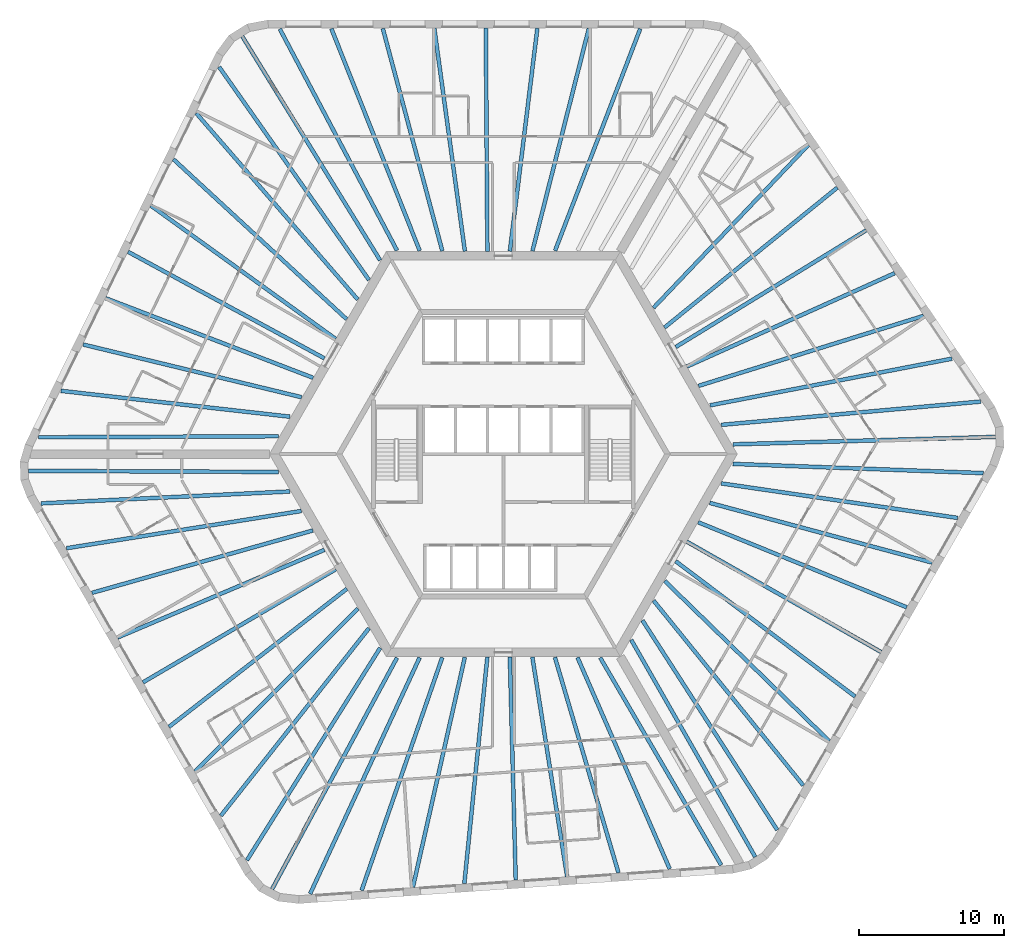
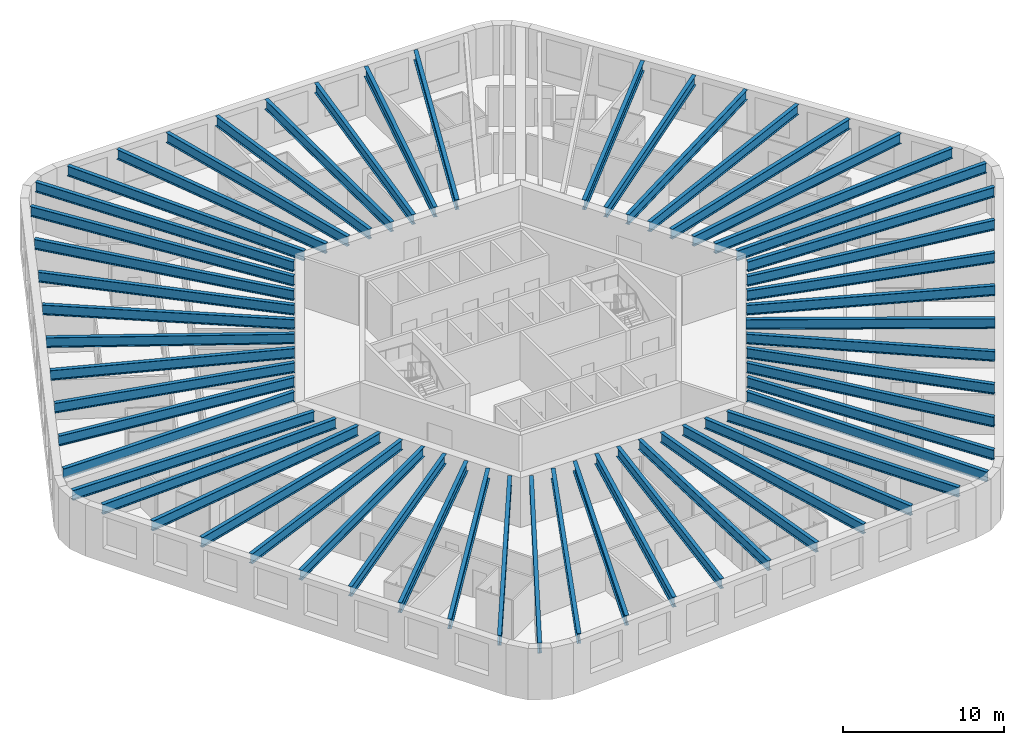
# One storey, part 1 of 11: 56 beams.
"""IFC4 building model written with IfcOpenShell, lengths in metres."""

from ifc_helpers import new_model, si_unit, direction, frame, origin, origin_2d, place, context, subcontext, project, spatial, i_section, extrude, material, material_profile, profile_set, type_object, element, save


model = new_model("IFC4")

# Units and contexts
model_context = context("Model", 3, precision=1e-05, world=origin(), true_north=direction((0.0, 1.0)))
body_context = subcontext(model_context, "Body", "Model", "MODEL_VIEW")
ifc_project = project(units=[si_unit("LENGTHUNIT", "METRE"), si_unit("AREAUNIT", "SQUARE_METRE"), si_unit("VOLUMEUNIT", "CUBIC_METRE"), si_unit("PLANEANGLEUNIT", "RADIAN"), si_unit("MASSUNIT", "GRAM", prefix="KILO")], contexts=[model_context])

# Site, building, storey
site_placement = place(None, origin())
site = spatial("IfcSite", under=ifc_project, at=site_placement, CompositionType="ELEMENT")
building_placement = place(site_placement, origin())
building = spatial("IfcBuilding", under=site, at=building_placement, Name="Tarnside Tower", CompositionType="ELEMENT")
storey_placement = place(building_placement, frame((0.0, 0.0, 45.300048828125)))
storey = spatial("IfcBuildingStorey", under=building, at=storey_placement, Name="L08", CompositionType="ELEMENT", Elevation=45.300048828125)

# Beams
ifc_material = material(Name="Steel S355", Category="steel")
ifc_material_profile_1 = material_profile(ifc_material, i_section(OverallWidth=0.26513671875, OverallDepth=0.75390625, WebThickness=0.0126953125, FlangeThickness=0.017578125, FilletRadius=0.0166015625, at=origin_2d()), Name="UB 762x267x147")
ifc_profile_set_1 = profile_set([ifc_material_profile_1], Name="Steel S355")
beam_type_1 = type_object("IfcBeamType", Name="Floor beam UB 762x267x147", PredefinedType="BEAM", material=ifc_profile_set_1)
beam_1_placement = place(storey_placement, frame((2.3525390625, 29.43017578125, 3.373046875), z_axis=(-0.122329629165, -0.992489527314, 0.0), x_axis=(0.992489527314, -0.122329629165, 0.0)))
element("IfcBeam", 1, at=beam_1_placement, inside=storey, type_object=beam_type_1, Name="Floor beam F1.04", PredefinedType="BEAM", context=body_context, shape_type="SweptSolid", body=[
    extrude(i_section(OverallWidth=0.26513671875, OverallDepth=0.75390625, WebThickness=0.0126953125, FlangeThickness=0.017578125, FilletRadius=0.0166015625, at=origin_2d()), origin(), (0.0, 0.0, 1.0), 15.527099609375),
])
beam_2_placement = place(storey_placement, frame((-1.208984375, 29.449951171875, 3.373046875), z_axis=(0.007000128723, -0.999975498799, 0.0), x_axis=(0.999975498799, 0.007000128723, 0.0)))
element("IfcBeam", 2, at=beam_2_placement, inside=storey, type_object=beam_type_1, Name="Floor beam F1.05", PredefinedType="BEAM", context=body_context, shape_type="SweptSolid", body=[
    extrude(i_section(OverallWidth=0.26513671875, OverallDepth=0.75390625, WebThickness=0.0126953125, FlangeThickness=0.017578125, FilletRadius=0.0166015625, at=origin_2d()), origin(), (0.0, 0.0, 1.0), 15.450439453125),
])
beam_3_placement = place(storey_placement, frame((-4.7705078125, 29.43017578125, 3.373046875), z_axis=(0.136000560933, -0.990708760144, 0.0), x_axis=(0.990708760144, 0.136000560933, 0.0)))
element("IfcBeam", 3, at=beam_3_placement, inside=storey, type_object=beam_type_1, Name="Floor beam F1.06", PredefinedType="BEAM", context=body_context, shape_type="SweptSolid", body=[
    extrude(i_section(OverallWidth=0.26513671875, OverallDepth=0.75390625, WebThickness=0.0126953125, FlangeThickness=0.017578125, FilletRadius=0.0166015625, at=origin_2d()), origin(), (0.0, 0.0, 1.0), 15.554931640625),
])
beam_4_placement = place(storey_placement, frame((-24.348876953125, 17.168212890625, 3.373046875), z_axis=(0.811027744825, -0.585007689799, 0.0), x_axis=(0.585007689799, 0.811027744825, 0.0)))
element("IfcBeam", 4, at=beam_4_placement, inside=storey, type_object=beam_type_1, Name="Floor beam F2.04", PredefinedType="BEAM", context=body_context, shape_type="SweptSolid", body=[
    extrude(i_section(OverallWidth=0.26513671875, OverallDepth=0.75390625, WebThickness=0.0126953125, FlangeThickness=0.017578125, FilletRadius=0.0166015625, at=origin_2d()), origin(), (0.0, 0.0, 1.0), 15.731689453125),
])
beam_5_placement = place(storey_placement, frame((-25.92626953125, 13.978271484375, 3.373046875), z_axis=(0.878894567679, -0.477016078245, 0.0), x_axis=(0.477016078245, 0.878894567679, 0.0)))
element("IfcBeam", 5, at=beam_5_placement, inside=storey, type_object=beam_type_1, Name="Floor beam F2.05", PredefinedType="BEAM", context=body_context, shape_type="SweptSolid", body=[
    extrude(i_section(OverallWidth=0.26513671875, OverallDepth=0.75390625, WebThickness=0.0126953125, FlangeThickness=0.017578125, FilletRadius=0.0166015625, at=origin_2d()), origin(), (0.0, 0.0, 1.0), 15.427490234375),
])
beam_6_placement = place(storey_placement, frame((-27.487548828125, 10.77734375, 3.373046875), z_axis=(0.933617702452, -0.358270827264, 0.0), x_axis=(0.358270827264, 0.933617702452, 0.0)))
element("IfcBeam", 6, at=beam_6_placement, inside=storey, type_object=beam_type_1, Name="Floor beam F2.06", PredefinedType="BEAM", context=body_context, shape_type="SweptSolid", body=[
    extrude(i_section(OverallWidth=0.26513671875, OverallDepth=0.75390625, WebThickness=0.0126953125, FlangeThickness=0.017578125, FilletRadius=0.0166015625, at=origin_2d()), origin(), (0.0, 0.0, 1.0), 15.363037109375),
])
beam_7_placement = place(storey_placement, frame((-29.029296875, 7.572509765625, 3.373046875), z_axis=(0.972101750991, -0.234559556873, 0.0), x_axis=(0.234559556873, 0.972101750991, 0.0)))
element("IfcBeam", 7, at=beam_7_placement, inside=storey, type_object=beam_type_1, Name="Floor beam F2.07", PredefinedType="BEAM", context=body_context, shape_type="SweptSolid", body=[
    extrude(i_section(OverallWidth=0.26513671875, OverallDepth=0.75390625, WebThickness=0.0126953125, FlangeThickness=0.017578125, FilletRadius=0.0166015625, at=origin_2d()), origin(), (0.0, 0.0, 1.0), 15.522216796875),
])
beam_8_placement = place(storey_placement, frame((-26.66357421875, -12.677734375, 3.373046875), z_axis=(0.920684021494, 0.390308765679, 0.0), x_axis=(-0.390308765679, 0.920684021494, 0.0)))
element("IfcBeam", 8, at=beam_8_placement, inside=storey, type_object=beam_type_1, Name="Floor beam F3.04", PredefinedType="BEAM", context=body_context, shape_type="SweptSolid", body=[
    extrude(i_section(OverallWidth=0.26513671875, OverallDepth=0.75390625, WebThickness=0.0126953125, FlangeThickness=0.017578125, FilletRadius=0.0166015625, at=origin_2d()), origin(), (0.0, 0.0, 1.0), 15.52685546875),
])
beam_9_placement = place(storey_placement, frame((-24.89990234375, -15.772216796875, 3.373046875), z_axis=(0.862497502004, 0.506061319443, 0.0), x_axis=(-0.506061319443, 0.862497502004, 0.0)))
element("IfcBeam", 9, at=beam_9_placement, inside=storey, type_object=beam_type_1, Name="Floor beam F3.05", PredefinedType="BEAM", context=body_context, shape_type="SweptSolid", body=[
    extrude(i_section(OverallWidth=0.26513671875, OverallDepth=0.75390625, WebThickness=0.0126953125, FlangeThickness=0.017578125, FilletRadius=0.0166015625, at=origin_2d()), origin(), (0.0, 0.0, 1.0), 15.450439453125),
])
beam_10_placement = place(storey_placement, frame((-23.10205078125, -18.846435546875, 3.373046875), z_axis=(0.789983963813, 0.613127504617, 0.0), x_axis=(-0.613127504617, 0.789983963813, 0.0)))
element("IfcBeam", 10, at=beam_10_placement, inside=storey, type_object=beam_type_1, Name="Floor beam F3.06", PredefinedType="BEAM", context=body_context, shape_type="SweptSolid", body=[
    extrude(i_section(OverallWidth=0.26513671875, OverallDepth=0.75390625, WebThickness=0.0126953125, FlangeThickness=0.017578125, FilletRadius=0.0166015625, at=origin_2d()), origin(), (0.0, 0.0, 1.0), 15.554931640625),
])
beam_11_placement = place(storey_placement, frame((-2.693603515625, -29.6708984375, 3.373046875), z_axis=(0.101123115756, 0.994873919379, 0.0), x_axis=(-0.994873919379, 0.101123115756, 0.0)))
element("IfcBeam", 11, at=beam_11_placement, inside=storey, type_object=beam_type_1, Name="Floor beam F4.04", PredefinedType="BEAM", context=body_context, shape_type="SweptSolid", body=[
    extrude(i_section(OverallWidth=0.26513671875, OverallDepth=0.75390625, WebThickness=0.0126953125, FlangeThickness=0.017578125, FilletRadius=0.0166015625, at=origin_2d()), origin(), (0.0, 0.0, 1.0), 15.7314453125),
])
beam_12_placement = place(storey_placement, frame((0.857666015625, -29.44189453125, 3.373046875), z_axis=(-0.026333316788, 0.999653218085, 0.0), x_axis=(-0.999653218085, -0.026333316788, 0.0)))
element("IfcBeam", 12, at=beam_12_placement, inside=storey, type_object=beam_type_1, Name="Floor beam F4.05", PredefinedType="BEAM", context=body_context, shape_type="SweptSolid", body=[
    extrude(i_section(OverallWidth=0.26513671875, OverallDepth=0.75390625, WebThickness=0.0126953125, FlangeThickness=0.017578125, FilletRadius=0.0166015625, at=origin_2d()), origin(), (0.0, 0.0, 1.0), 15.42724609375),
])
beam_13_placement = place(storey_placement, frame((4.41015625, -29.193603515625, 3.373046875), z_axis=(-0.156513375907, 0.98767583911, 0.0), x_axis=(-0.98767583911, -0.156513375907, 0.0)))
element("IfcBeam", 13, at=beam_13_placement, inside=storey, type_object=beam_type_1, Name="Floor beam F4.06", PredefinedType="BEAM", context=body_context, shape_type="SweptSolid", body=[
    extrude(i_section(OverallWidth=0.26513671875, OverallDepth=0.75390625, WebThickness=0.0126953125, FlangeThickness=0.017578125, FilletRadius=0.0166015625, at=origin_2d()), origin(), (0.0, 0.0, 1.0), 15.36328125),
])
beam_14_placement = place(storey_placement, frame((7.956787109375, -28.926513671875, 3.373046875), z_axis=(-0.282920694328, 0.959143305623, 0.0), x_axis=(-0.959143305623, -0.282920694328, 0.0)))
element("IfcBeam", 14, at=beam_14_placement, inside=storey, type_object=beam_type_1, Name="Floor beam F4.07", PredefinedType="BEAM", context=body_context, shape_type="SweptSolid", body=[
    extrude(i_section(OverallWidth=0.26513671875, OverallDepth=0.75390625, WebThickness=0.0126953125, FlangeThickness=0.017578125, FilletRadius=0.0166015625, at=origin_2d()), origin(), (0.0, 0.0, 1.0), 15.5224609375),
])
beam_15_placement = place(storey_placement, frame((24.31103515625, -16.75244140625, 3.373046875), z_axis=(-0.798361152727, 0.602178935049, 0.0), x_axis=(-0.602178935049, -0.798361152727, 0.0)))
element("IfcBeam", 15, at=beam_15_placement, inside=storey, type_object=beam_type_1, Name="Floor beam F5.04", PredefinedType="BEAM", context=body_context, shape_type="SweptSolid", body=[
    extrude(i_section(OverallWidth=0.26513671875, OverallDepth=0.75390625, WebThickness=0.0126953125, FlangeThickness=0.017578125, FilletRadius=0.0166015625, at=origin_2d()), origin(), (0.0, 0.0, 1.0), 15.527099609375),
])
beam_16_placement = place(storey_placement, frame((26.10888671875, -13.677978515625, 3.373046875), z_axis=(-0.869502520992, 0.493928502911, 0.0), x_axis=(-0.493928502911, -0.869502520992, 0.0)))
element("IfcBeam", 16, at=beam_16_placement, inside=storey, type_object=beam_type_1, Name="Floor beam F5.05", PredefinedType="BEAM", context=body_context, shape_type="SweptSolid", body=[
    extrude(i_section(OverallWidth=0.26513671875, OverallDepth=0.75390625, WebThickness=0.0126953125, FlangeThickness=0.017578125, FilletRadius=0.0166015625, at=origin_2d()), origin(), (0.0, 0.0, 1.0), 15.4501953125),
])
beam_17_placement = place(storey_placement, frame((27.87255859375, -10.58349609375, 3.373046875), z_axis=(-0.925981621163, 0.377568586177, 0.0), x_axis=(-0.377568586177, -0.925981621163, 0.0)))
element("IfcBeam", 17, at=beam_17_placement, inside=storey, type_object=beam_type_1, Name="Floor beam F5.06", PredefinedType="BEAM", context=body_context, shape_type="SweptSolid", body=[
    extrude(i_section(OverallWidth=0.26513671875, OverallDepth=0.75390625, WebThickness=0.0126953125, FlangeThickness=0.017578125, FilletRadius=0.0166015625, at=origin_2d()), origin(), (0.0, 0.0, 1.0), 15.554931640625),
])
beam_18_placement = place(storey_placement, frame((27.04248046875, 12.502685546875, 3.373046875), z_axis=(-0.912146413919, -0.409864513681, 0.0), x_axis=(0.409864513681, -0.912146413919, 0.0)))
element("IfcBeam", 18, at=beam_18_placement, inside=storey, type_object=beam_type_1, Name="Floor beam F6.04", PredefinedType="BEAM", context=body_context, shape_type="SweptSolid", body=[
    extrude(i_section(OverallWidth=0.26513671875, OverallDepth=0.75390625, WebThickness=0.0126953125, FlangeThickness=0.017578125, FilletRadius=0.0166015625, at=origin_2d()), origin(), (0.0, 0.0, 1.0), 15.7314453125),
])
beam_19_placement = place(storey_placement, frame((25.068603515625, 15.463623046875, 3.373046875), z_axis=(-0.852558490017, -0.522631821744, 0.0), x_axis=(0.522631821744, -0.852558490017, 0.0)))
element("IfcBeam", 19, at=beam_19_placement, inside=storey, type_object=beam_type_1, Name="Floor beam F6.05", PredefinedType="BEAM", context=body_context, shape_type="SweptSolid", body=[
    extrude(i_section(OverallWidth=0.26513671875, OverallDepth=0.75390625, WebThickness=0.0126953125, FlangeThickness=0.017578125, FilletRadius=0.0166015625, at=origin_2d()), origin(), (0.0, 0.0, 1.0), 15.42724609375),
])
beam_20_placement = place(storey_placement, frame((23.0771484375, 18.416259765625, 3.373046875), z_axis=(-0.777079423039, -0.629402550272, 0.0), x_axis=(0.629402550272, -0.777079423039, 0.0)))
element("IfcBeam", 20, at=beam_20_placement, inside=storey, type_object=beam_type_1, Name="Floor beam F6.06", PredefinedType="BEAM", context=body_context, shape_type="SweptSolid", body=[
    extrude(i_section(OverallWidth=0.26513671875, OverallDepth=0.75390625, WebThickness=0.0126953125, FlangeThickness=0.017578125, FilletRadius=0.0166015625, at=origin_2d()), origin(), (0.0, 0.0, 1.0), 15.36328125),
])
beam_21_placement = place(storey_placement, frame((21.072509765625, 21.35400390625, 3.373046875), z_axis=(-0.689174694318, -0.724595225427, 0.0), x_axis=(0.724595225427, -0.689174694318, 0.0)))
element("IfcBeam", 21, at=beam_21_placement, inside=storey, type_object=beam_type_1, Name="Floor beam F6.07", PredefinedType="BEAM", context=body_context, shape_type="SweptSolid", body=[
    extrude(i_section(OverallWidth=0.26513671875, OverallDepth=0.75390625, WebThickness=0.0126953125, FlangeThickness=0.017578125, FilletRadius=0.0166015625, at=origin_2d()), origin(), (0.0, 0.0, 1.0), 15.522216796875),
])
ifc_material_profile_2 = material_profile(ifc_material, i_section(OverallWidth=0.2666015625, OverallDepth=0.76220703125, WebThickness=0.014404296875, FlangeThickness=0.021484375, FilletRadius=0.0166015625, at=origin_2d()), Name="UB 762x267x173")
ifc_profile_set_2 = profile_set([ifc_material_profile_2], Name="Steel S355")
beam_type_2 = type_object("IfcBeamType", Name="Floor beam UB 762x267x173", PredefinedType="BEAM", material=ifc_profile_set_2)
beam_22_placement = place(storey_placement, frame((9.4619140625, 29.39404296875, 3.368896484375), z_axis=(-0.358299847269, -0.933606565662, 0.0), x_axis=(0.933606565662, -0.358299847269, 0.0)))
element("IfcBeam", 22, at=beam_22_placement, inside=storey, type_object=beam_type_2, Name="Floor beam F1.02", PredefinedType="BEAM", context=body_context, shape_type="SweptSolid", body=[
    extrude(i_section(OverallWidth=0.2666015625, OverallDepth=0.76220703125, WebThickness=0.014404296875, FlangeThickness=0.021484375, FilletRadius=0.0166015625, at=origin_2d()), origin(), (0.0, 0.0, 1.0), 16.428955078125),
])
beam_23_placement = place(storey_placement, frame((5.909423828125, 29.4111328125, 3.368896484375), z_axis=(-0.245747281389, -0.969333933013, 0.0), x_axis=(0.969333933013, -0.245747281389, 0.0)))
element("IfcBeam", 23, at=beam_23_placement, inside=storey, type_object=beam_type_2, Name="Floor beam F1.03", PredefinedType="BEAM", context=body_context, shape_type="SweptSolid", body=[
    extrude(i_section(OverallWidth=0.2666015625, OverallDepth=0.76220703125, WebThickness=0.014404296875, FlangeThickness=0.021484375, FilletRadius=0.0166015625, at=origin_2d()), origin(), (0.0, 0.0, 1.0), 15.858642578125),
])
beam_24_placement = place(storey_placement, frame((-8.3271484375, 29.411376953125, 3.368896484375), z_axis=(0.258447478572, -0.966025310652, 0.0), x_axis=(0.966025310652, 0.258447478572, 0.0)))
element("IfcBeam", 24, at=beam_24_placement, inside=storey, type_object=beam_type_2, Name="Floor beam F1.07", PredefinedType="BEAM", context=body_context, shape_type="SweptSolid", body=[
    extrude(i_section(OverallWidth=0.2666015625, OverallDepth=0.76220703125, WebThickness=0.014404296875, FlangeThickness=0.021484375, FilletRadius=0.0166015625, at=origin_2d()), origin(), (0.0, 0.0, 1.0), 15.91357421875),
])
beam_25_placement = place(storey_placement, frame((-11.87939453125, 29.394287109375, 3.368896484375), z_axis=(0.369638204477, -0.929175762593, 0.0), x_axis=(0.929175762593, 0.369638204477, 0.0)))
element("IfcBeam", 25, at=beam_25_placement, inside=storey, type_object=beam_type_2, Name="Floor beam F1.08", PredefinedType="BEAM", context=body_context, shape_type="SweptSolid", body=[
    extrude(i_section(OverallWidth=0.2666015625, OverallDepth=0.76220703125, WebThickness=0.014404296875, FlangeThickness=0.021484375, FilletRadius=0.0166015625, at=origin_2d()), origin(), (0.0, 0.0, 1.0), 16.507568359375),
])
beam_26_placement = place(storey_placement, frame((-15.44580078125, 29.37939453125, 3.368896484375), z_axis=(0.467741993634, -0.883865050441, 0.0), x_axis=(0.883865050441, 0.467741993634, 0.0)))
element("IfcBeam", 26, at=beam_26_placement, inside=storey, type_object=beam_type_2, Name="Floor beam F1.09", PredefinedType="BEAM", context=body_context, shape_type="SweptSolid", body=[
    extrude(i_section(OverallWidth=0.2666015625, OverallDepth=0.76220703125, WebThickness=0.014404296875, FlangeThickness=0.021484375, FilletRadius=0.0166015625, at=origin_2d()), origin(), (0.0, 0.0, 1.0), 17.320068359375),
])
beam_27_placement = place(storey_placement, frame((-18.042236328125, 28.8701171875, 3.368896484375), z_axis=(0.524382977035, -0.851482526771, 0.0), x_axis=(0.851482526771, 0.524382977035, 0.0)))
element("IfcBeam", 27, at=beam_27_placement, inside=storey, type_object=beam_type_2, Name="Floor beam C1", PredefinedType="BEAM", context=body_context, shape_type="SweptSolid", body=[
    extrude(i_section(OverallWidth=0.2666015625, OverallDepth=0.76220703125, WebThickness=0.014404296875, FlangeThickness=0.021484375, FilletRadius=0.0166015625, at=origin_2d()), origin(), (0.0, 0.0, 1.0), 18.1728515625),
])
beam_28_placement = place(storey_placement, frame((-19.638671875, 26.75537109375, 3.368896484375), z_axis=(0.575411427849, -0.817864101609, 0.0), x_axis=(0.817864101609, 0.575411427849, 0.0)))
element("IfcBeam", 28, at=beam_28_placement, inside=storey, type_object=beam_type_2, Name="Floor beam F2.01", PredefinedType="BEAM", context=body_context, shape_type="SweptSolid", body=[
    extrude(i_section(OverallWidth=0.2666015625, OverallDepth=0.76220703125, WebThickness=0.014404296875, FlangeThickness=0.021484375, FilletRadius=0.0166015625, at=origin_2d()), origin(), (0.0, 0.0, 1.0), 18.00048828125),
])
beam_29_placement = place(storey_placement, frame((-21.21630859375, 23.554931640625, 3.368896484375), z_axis=(0.654980748073, -0.755645564834, 0.0), x_axis=(0.755645564834, 0.654980748073, 0.0)))
element("IfcBeam", 29, at=beam_29_placement, inside=storey, type_object=beam_type_2, Name="Floor beam F2.02", PredefinedType="BEAM", context=body_context, shape_type="SweptSolid", body=[
    extrude(i_section(OverallWidth=0.2666015625, OverallDepth=0.76220703125, WebThickness=0.014404296875, FlangeThickness=0.021484375, FilletRadius=0.0166015625, at=origin_2d()), origin(), (0.0, 0.0, 1.0), 17.0302734375),
])
beam_30_placement = place(storey_placement, frame((-22.7890625, 20.368408203125, 3.368896484375), z_axis=(0.734715474517, -0.678375391288, 0.0), x_axis=(0.678375391288, 0.734715474517, 0.0)))
element("IfcBeam", 30, at=beam_30_placement, inside=storey, type_object=beam_type_2, Name="Floor beam F2.03", PredefinedType="BEAM", context=body_context, shape_type="SweptSolid", body=[
    extrude(i_section(OverallWidth=0.2666015625, OverallDepth=0.76220703125, WebThickness=0.014404296875, FlangeThickness=0.021484375, FilletRadius=0.0166015625, at=origin_2d()), origin(), (0.0, 0.0, 1.0), 16.2802734375),
])
beam_31_placement = place(storey_placement, frame((-30.570556640625, 4.372802734375, 3.368896484375), z_axis=(0.993687302776, -0.112185312326, 0.0), x_axis=(0.112185312326, 0.993687302776, 0.0)))
element("IfcBeam", 31, at=beam_31_placement, inside=storey, type_object=beam_type_2, Name="Floor beam F2.08", PredefinedType="BEAM", context=body_context, shape_type="SweptSolid", body=[
    extrude(i_section(OverallWidth=0.2666015625, OverallDepth=0.76220703125, WebThickness=0.014404296875, FlangeThickness=0.021484375, FilletRadius=0.0166015625, at=origin_2d()), origin(), (0.0, 0.0, 1.0), 15.934326171875),
])
beam_32_placement = place(storey_placement, frame((-32.119384765625, 1.162109375, 3.368896484375), z_axis=(0.999990508787, 0.004356872304, 0.0), x_axis=(-0.004356872304, 0.999990508787, 0.0)))
element("IfcBeam", 32, at=beam_32_placement, inside=storey, type_object=beam_type_2, Name="Floor beam F2.09", PredefinedType="BEAM", context=body_context, shape_type="SweptSolid", body=[
    extrude(i_section(OverallWidth=0.2666015625, OverallDepth=0.76220703125, WebThickness=0.014404296875, FlangeThickness=0.021484375, FilletRadius=0.0166015625, at=origin_2d()), origin(), (0.0, 0.0, 1.0), 16.586669921875),
])
beam_33_placement = place(storey_placement, frame((-32.80712890625, -1.1572265625, 3.368896484375), z_axis=(0.999990027056, -0.004466070929, 0.0), x_axis=(0.004466070929, 0.999990027056, 0.0)))
element("IfcBeam", 33, at=beam_33_placement, inside=storey, type_object=beam_type_2, Name="Floor beam C2", PredefinedType="BEAM", context=body_context, shape_type="SweptSolid", body=[
    extrude(i_section(OverallWidth=0.2666015625, OverallDepth=0.76220703125, WebThickness=0.014404296875, FlangeThickness=0.021484375, FilletRadius=0.0166015625, at=origin_2d()), origin(), (0.0, 0.0, 1.0), 17.2744140625),
])
beam_34_placement = place(storey_placement, frame((-31.95703125, -3.406494140625, 3.368896484375), z_axis=(0.998853818522, 0.047864905982, 0.0), x_axis=(-0.047864905982, 0.998853818522, 0.0)))
element("IfcBeam", 34, at=beam_34_placement, inside=storey, type_object=beam_type_2, Name="Floor beam F3.01", PredefinedType="BEAM", context=body_context, shape_type="SweptSolid", body=[
    extrude(i_section(OverallWidth=0.2666015625, OverallDepth=0.76220703125, WebThickness=0.014404296875, FlangeThickness=0.021484375, FilletRadius=0.0166015625, at=origin_2d()), origin(), (0.0, 0.0, 1.0), 17.2197265625),
])
beam_35_placement = place(storey_placement, frame((-30.18701171875, -6.502685546875, 3.368896484375), z_axis=(0.987678477078, 0.156496728136, 0.0), x_axis=(-0.156496728136, 0.987678477078, 0.0)))
element("IfcBeam", 35, at=beam_35_placement, inside=storey, type_object=beam_type_2, Name="Floor beam F3.02", PredefinedType="BEAM", context=body_context, shape_type="SweptSolid", body=[
    extrude(i_section(OverallWidth=0.2666015625, OverallDepth=0.76220703125, WebThickness=0.014404296875, FlangeThickness=0.021484375, FilletRadius=0.0166015625, at=origin_2d()), origin(), (0.0, 0.0, 1.0), 16.4287109375),
])
beam_36_placement = place(storey_placement, frame((-28.425537109375, -9.587890625, 3.368896484375), z_axis=(0.962342240503, 0.271840784547, 0.0), x_axis=(-0.271840784547, 0.962342240503, 0.0)))
element("IfcBeam", 36, at=beam_36_placement, inside=storey, type_object=beam_type_2, Name="Floor beam F3.03", PredefinedType="BEAM", context=body_context, shape_type="SweptSolid", body=[
    extrude(i_section(OverallWidth=0.2666015625, OverallDepth=0.76220703125, WebThickness=0.014404296875, FlangeThickness=0.021484375, FilletRadius=0.0166015625, at=origin_2d()), origin(), (0.0, 0.0, 1.0), 15.858642578125),
])
beam_37_placement = place(storey_placement, frame((-21.307373046875, -21.917236328125, 3.368896484375), z_axis=(0.707367544857, 0.706845921318, 0.0), x_axis=(-0.706845921318, 0.707367544857, 0.0)))
element("IfcBeam", 37, at=beam_37_placement, inside=storey, type_object=beam_type_2, Name="Floor beam F3.07", PredefinedType="BEAM", context=body_context, shape_type="SweptSolid", body=[
    extrude(i_section(OverallWidth=0.2666015625, OverallDepth=0.76220703125, WebThickness=0.014404296875, FlangeThickness=0.021484375, FilletRadius=0.0166015625, at=origin_2d()), origin(), (0.0, 0.0, 1.0), 15.913330078125),
])
beam_38_placement = place(storey_placement, frame((-19.516357421875, -24.985107421875, 3.368896484375), z_axis=(0.619872995007, 0.784702153725, 0.0), x_axis=(-0.784702153725, 0.619872995007, 0.0)))
element("IfcBeam", 38, at=beam_38_placement, inside=storey, type_object=beam_type_2, Name="Floor beam F3.08", PredefinedType="BEAM", context=body_context, shape_type="SweptSolid", body=[
    extrude(i_section(OverallWidth=0.2666015625, OverallDepth=0.76220703125, WebThickness=0.014404296875, FlangeThickness=0.021484375, FilletRadius=0.0166015625, at=origin_2d()), origin(), (0.0, 0.0, 1.0), 16.507568359375),
])
beam_39_placement = place(storey_placement, frame((-17.72021484375, -28.066162109375, 3.368896484375), z_axis=(0.531583085704, 0.847006152866, 0.0), x_axis=(-0.847006152866, 0.531583085704, 0.0)))
element("IfcBeam", 39, at=beam_39_placement, inside=storey, type_object=beam_type_2, Name="Floor beam F3.09", PredefinedType="BEAM", context=body_context, shape_type="SweptSolid", body=[
    extrude(i_section(OverallWidth=0.2666015625, OverallDepth=0.76220703125, WebThickness=0.014404296875, FlangeThickness=0.021484375, FilletRadius=0.0166015625, at=origin_2d()), origin(), (0.0, 0.0, 1.0), 17.320068359375),
])
beam_40_placement = place(storey_placement, frame((-15.981201171875, -30.060302734375, 3.368896484375), z_axis=(0.475208200571, 0.879873380726, 0.0), x_axis=(-0.879873380726, 0.475208200571, 0.0)))
element("IfcBeam", 40, at=beam_40_placement, inside=storey, type_object=beam_type_2, Name="Floor beam C3", PredefinedType="BEAM", context=body_context, shape_type="SweptSolid", body=[
    extrude(i_section(OverallWidth=0.2666015625, OverallDepth=0.76220703125, WebThickness=0.014404296875, FlangeThickness=0.021484375, FilletRadius=0.0166015625, at=origin_2d()), origin(), (0.0, 0.0, 1.0), 18.173095703125),
])
beam_41_placement = place(storey_placement, frame((-13.3515625, -30.38525390625, 3.368896484375), z_axis=(0.42059199668, 0.907249895193, 0.0), x_axis=(-0.907249895193, 0.42059199668, 0.0)))
element("IfcBeam", 41, at=beam_41_placement, inside=storey, type_object=beam_type_2, Name="Floor beam F4.01", PredefinedType="BEAM", context=body_context, shape_type="SweptSolid", body=[
    extrude(i_section(OverallWidth=0.2666015625, OverallDepth=0.76220703125, WebThickness=0.014404296875, FlangeThickness=0.021484375, FilletRadius=0.0166015625, at=origin_2d()), origin(), (0.0, 0.0, 1.0), 18.000244140625),
])
beam_42_placement = place(storey_placement, frame((-9.791015625, -30.151123046875, 3.368896484375), z_axis=(0.326912128872, 0.945054739153, 0.0), x_axis=(-0.945054739153, 0.326912128872, 0.0)))
element("IfcBeam", 42, at=beam_42_placement, inside=storey, type_object=beam_type_2, Name="Floor beam F4.02", PredefinedType="BEAM", context=body_context, shape_type="SweptSolid", body=[
    extrude(i_section(OverallWidth=0.2666015625, OverallDepth=0.76220703125, WebThickness=0.014404296875, FlangeThickness=0.021484375, FilletRadius=0.0166015625, at=origin_2d()), origin(), (0.0, 0.0, 1.0), 17.0302734375),
])
beam_43_placement = place(storey_placement, frame((-6.2451171875, -29.920166015625, 3.368896484375), z_axis=(0.220139818673, 0.975468328668, 0.0), x_axis=(-0.975468328668, 0.220139818673, 0.0)))
element("IfcBeam", 43, at=beam_43_placement, inside=storey, type_object=beam_type_2, Name="Floor beam F4.03", PredefinedType="BEAM", context=body_context, shape_type="SweptSolid", body=[
    extrude(i_section(OverallWidth=0.2666015625, OverallDepth=0.76220703125, WebThickness=0.014404296875, FlangeThickness=0.021484375, FilletRadius=0.0166015625, at=origin_2d()), origin(), (0.0, 0.0, 1.0), 16.280517578125),
])
beam_44_placement = place(storey_placement, frame((11.498291015625, -28.6611328125, 3.368896484375), z_axis=(-0.399695682658, 0.916647893831, 0.0), x_axis=(-0.916647893831, -0.399695682658, 0.0)))
element("IfcBeam", 44, at=beam_44_placement, inside=storey, type_object=beam_type_2, Name="Floor beam F4.08", PredefinedType="BEAM", context=body_context, shape_type="SweptSolid", body=[
    extrude(i_section(OverallWidth=0.2666015625, OverallDepth=0.76220703125, WebThickness=0.014404296875, FlangeThickness=0.021484375, FilletRadius=0.0166015625, at=origin_2d()), origin(), (0.0, 0.0, 1.0), 15.934326171875),
])
beam_45_placement = place(storey_placement, frame((15.05322265625, -28.3974609375, 3.368896484375), z_axis=(-0.503758455062, 0.86384455717, 0.0), x_axis=(-0.86384455717, -0.503758455062, 0.0)))
element("IfcBeam", 45, at=beam_45_placement, inside=storey, type_object=beam_type_2, Name="Floor beam F4.09", PredefinedType="BEAM", context=body_context, shape_type="SweptSolid", body=[
    extrude(i_section(OverallWidth=0.2666015625, OverallDepth=0.76220703125, WebThickness=0.014404296875, FlangeThickness=0.021484375, FilletRadius=0.0166015625, at=origin_2d()), origin(), (0.0, 0.0, 1.0), 16.586669921875),
])
beam_46_placement = place(storey_placement, frame((17.40576171875, -27.833251953125, 3.368896484375), z_axis=(-0.496126762138, 0.868250099851, 0.0), x_axis=(-0.868250099851, -0.496126762138, 0.0)))
element("IfcBeam", 46, at=beam_46_placement, inside=storey, type_object=beam_type_2, Name="Floor beam C4", PredefinedType="BEAM", context=body_context, shape_type="SweptSolid", body=[
    extrude(i_section(OverallWidth=0.2666015625, OverallDepth=0.76220703125, WebThickness=0.014404296875, FlangeThickness=0.021484375, FilletRadius=0.0166015625, at=origin_2d()), origin(), (0.0, 0.0, 1.0), 17.2744140625),
])
beam_47_placement = place(storey_placement, frame((18.9287109375, -25.972412109375, 3.368896484375), z_axis=(-0.540872954463, 0.841104302171, 0.0), x_axis=(-0.841104302171, -0.540872954463, 0.0)))
element("IfcBeam", 47, at=beam_47_placement, inside=storey, type_object=beam_type_2, Name="Floor beam F5.01", PredefinedType="BEAM", context=body_context, shape_type="SweptSolid", body=[
    extrude(i_section(OverallWidth=0.2666015625, OverallDepth=0.76220703125, WebThickness=0.014404296875, FlangeThickness=0.021484375, FilletRadius=0.0166015625, at=origin_2d()), origin(), (0.0, 0.0, 1.0), 17.2197265625),
])
beam_48_placement = place(storey_placement, frame((20.72509765625, -22.89111328125, 3.368896484375), z_axis=(-0.62939015525, 0.777089462336, 0.0), x_axis=(-0.777089462336, -0.62939015525, 0.0)))
element("IfcBeam", 48, at=beam_48_placement, inside=storey, type_object=beam_type_2, Name="Floor beam F5.02", PredefinedType="BEAM", context=body_context, shape_type="SweptSolid", body=[
    extrude(i_section(OverallWidth=0.2666015625, OverallDepth=0.76220703125, WebThickness=0.014404296875, FlangeThickness=0.021484375, FilletRadius=0.0166015625, at=origin_2d()), origin(), (0.0, 0.0, 1.0), 16.4287109375),
])
beam_49_placement = place(storey_placement, frame((22.51611328125, -19.8232421875, 3.368896484375), z_axis=(-0.716594696052, 0.697489814686, 0.0), x_axis=(-0.697489814686, -0.716594696052, 0.0)))
element("IfcBeam", 49, at=beam_49_placement, inside=storey, type_object=beam_type_2, Name="Floor beam F5.03", PredefinedType="BEAM", context=body_context, shape_type="SweptSolid", body=[
    extrude(i_section(OverallWidth=0.2666015625, OverallDepth=0.76220703125, WebThickness=0.014404296875, FlangeThickness=0.021484375, FilletRadius=0.0166015625, at=origin_2d()), origin(), (0.0, 0.0, 1.0), 15.858642578125),
])
beam_50_placement = place(storey_placement, frame((29.634521484375, -7.494140625, 3.368896484375), z_axis=(-0.965827851395, 0.259184415946, 0.0), x_axis=(-0.259184415946, -0.965827851395, 0.0)))
element("IfcBeam", 50, at=beam_50_placement, inside=storey, type_object=beam_type_2, Name="Floor beam F5.07", PredefinedType="BEAM", context=body_context, shape_type="SweptSolid", body=[
    extrude(i_section(OverallWidth=0.2666015625, OverallDepth=0.76220703125, WebThickness=0.014404296875, FlangeThickness=0.021484375, FilletRadius=0.0166015625, at=origin_2d()), origin(), (0.0, 0.0, 1.0), 15.913330078125),
])
beam_51_placement = place(storey_placement, frame((31.39599609375, -4.4091796875, 3.368896484375), z_axis=(-0.989507887412, 0.144478859177, 0.0), x_axis=(-0.144478859177, -0.989507887412, 0.0)))
element("IfcBeam", 51, at=beam_51_placement, inside=storey, type_object=beam_type_2, Name="Floor beam F5.08", PredefinedType="BEAM", context=body_context, shape_type="SweptSolid", body=[
    extrude(i_section(OverallWidth=0.2666015625, OverallDepth=0.76220703125, WebThickness=0.014404296875, FlangeThickness=0.021484375, FilletRadius=0.0166015625, at=origin_2d()), origin(), (0.0, 0.0, 1.0), 16.507568359375),
])
beam_52_placement = place(storey_placement, frame((33.166259765625, -1.31298828125, 3.368896484375), z_axis=(-0.999320941149, 0.036846391708, 0.0), x_axis=(-0.036846391708, -0.999320941149, 0.0)))
element("IfcBeam", 52, at=beam_52_placement, inside=storey, type_object=beam_type_2, Name="Floor beam F5.09", PredefinedType="BEAM", context=body_context, shape_type="SweptSolid", body=[
    extrude(i_section(OverallWidth=0.2666015625, OverallDepth=0.76220703125, WebThickness=0.014404296875, FlangeThickness=0.021484375, FilletRadius=0.0166015625, at=origin_2d()), origin(), (0.0, 0.0, 1.0), 17.320068359375),
])
beam_53_placement = place(storey_placement, frame((34.0234375, 1.18994140625, 3.368896484375), z_axis=(-0.999597013499, -0.028386803343, 0.0), x_axis=(0.028386803343, -0.999597013499, 0.0)))
element("IfcBeam", 53, at=beam_53_placement, inside=storey, type_object=beam_type_2, Name="Floor beam C5", PredefinedType="BEAM", context=body_context, shape_type="SweptSolid", body=[
    extrude(i_section(OverallWidth=0.2666015625, OverallDepth=0.76220703125, WebThickness=0.014404296875, FlangeThickness=0.021484375, FilletRadius=0.0166015625, at=origin_2d()), origin(), (0.0, 0.0, 1.0), 18.1728515625),
])
beam_54_placement = place(storey_placement, frame((32.990234375, 3.6298828125, 3.368896484375), z_axis=(-0.995997485142, -0.089381259731, 0.0), x_axis=(0.089381259731, -0.995997485142, 0.0)))
element("IfcBeam", 54, at=beam_54_placement, inside=storey, type_object=beam_type_2, Name="Floor beam F6.01", PredefinedType="BEAM", context=body_context, shape_type="SweptSolid", body=[
    extrude(i_section(OverallWidth=0.2666015625, OverallDepth=0.76220703125, WebThickness=0.014404296875, FlangeThickness=0.021484375, FilletRadius=0.0166015625, at=origin_2d()), origin(), (0.0, 0.0, 1.0), 18.000244140625),
])
beam_55_placement = place(storey_placement, frame((31.007080078125, 6.596435546875, 3.368896484375), z_axis=(-0.981896564922, -0.189417886679, 0.0), x_axis=(0.189417886679, -0.981896564922, 0.0)))
element("IfcBeam", 55, at=beam_55_placement, inside=storey, type_object=beam_type_2, Name="Floor beam F6.02", PredefinedType="BEAM", context=body_context, shape_type="SweptSolid", body=[
    extrude(i_section(OverallWidth=0.2666015625, OverallDepth=0.76220703125, WebThickness=0.014404296875, FlangeThickness=0.021484375, FilletRadius=0.0166015625, at=origin_2d()), origin(), (0.0, 0.0, 1.0), 17.0302734375),
])
beam_56_placement = place(storey_placement, frame((29.0341796875, 9.5517578125, 3.368896484375), z_axis=(-0.954846945108, -0.297098151152, 0.0), x_axis=(0.297098151152, -0.954846945108, 0.0)))
element("IfcBeam", 56, at=beam_56_placement, inside=storey, type_object=beam_type_2, Name="Floor beam F6.03", PredefinedType="BEAM", context=body_context, shape_type="SweptSolid", body=[
    extrude(i_section(OverallWidth=0.2666015625, OverallDepth=0.76220703125, WebThickness=0.014404296875, FlangeThickness=0.021484375, FilletRadius=0.0166015625, at=origin_2d()), origin(), (0.0, 0.0, 1.0), 16.280517578125),
])

save(model, "model.ifc")
